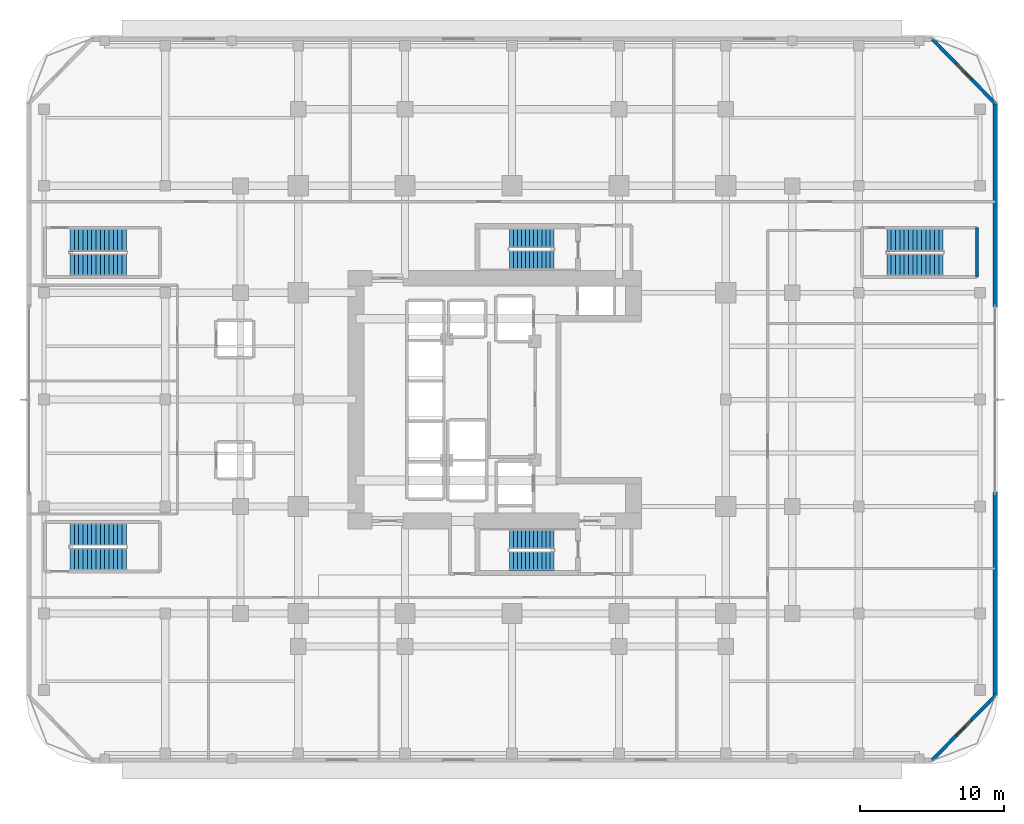
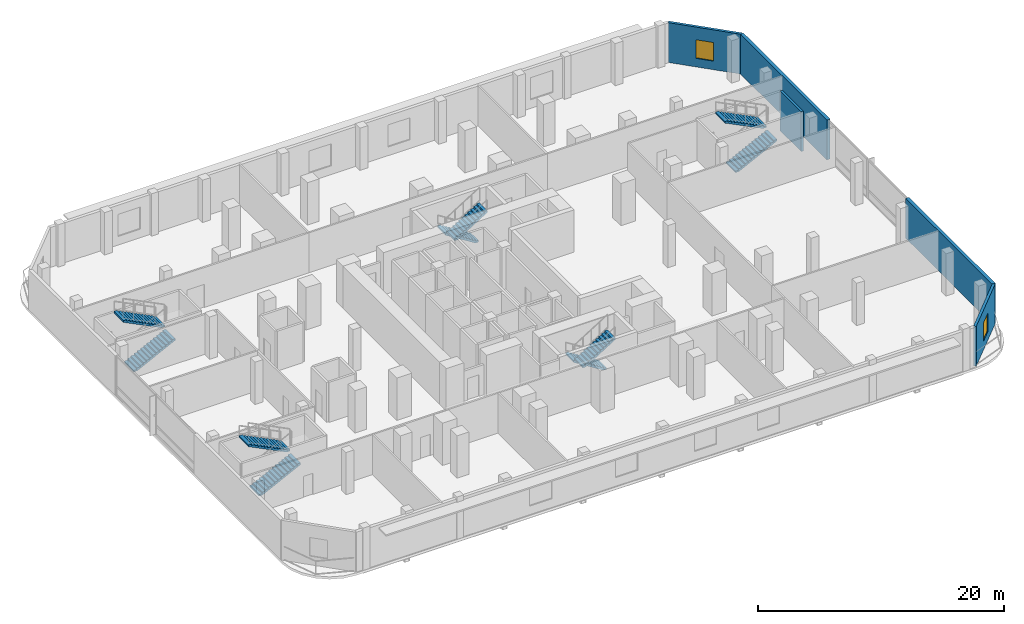
# One storey, part 11 of 19: 10 stair flights, 5 walls, 2 windows, 2 openings, 5 elements without a shape of their own.
"""IFC4 building model written with IfcOpenShell, lengths in metres."""

import ifcopenshell
import ifcopenshell.guid

model = None  # the IFC model being written
_history = None  # IfcOwnerHistory: only IFC2X3 demands one
_inside = {}  # id of a spatial element -> (the spatial element, [elements in it])
_under = {}  # id of a project, library or spatial element -> (it, [spatial elements below it])
_declared = {}  # id of a project -> (the project, [libraries it declares])
_typed = {}  # id of a type object -> (the type object, [elements of that type])
_made_of = {}  # id of a material, layer set ... -> (it, [elements and type objects made of it])


def new_model(schema):
    """Start an empty IFC model of exactly this schema.

    Asked for "IFC4X3", IfcOpenShell would pick the latest addendum, in which some entities
    have other attributes; the version numbers below select the first issue.
    IFC2X3 requires an IfcOwnerHistory on every rooted entity: one is made here for all.
    """
    global model, _history
    if schema == "IFC4X3":
        model = ifcopenshell.file(schema_version=(4, 3, 0, 0))
    else:
        model = ifcopenshell.file(schema=schema)
    _inside.clear()
    _under.clear()
    _declared.clear()
    _typed.clear()
    _made_of.clear()
    _history = None
    if model.schema == "IFC2X3":
        org = make("IfcOrganization", Name="unknown")
        user = make(
            "IfcPersonAndOrganization",
            ThePerson=make("IfcPerson", FamilyName="unknown"),
            TheOrganization=org,
        )
        app = make(
            "IfcApplication",
            ApplicationDeveloper=org,
            Version="unknown",
            ApplicationFullName="unknown",
            ApplicationIdentifier="unknown",
        )
        _history = make(
            "IfcOwnerHistory",
            OwningUser=user,
            OwningApplication=app,
            ChangeAction="ADDED",
            CreationDate=0,
        )
    return model


def make(cls, **values):
    """One entity of the class cls with the attributes given. An attribute that is None is left unset."""
    return model.create_entity(
        cls, **{name: value for name, value in values.items() if value is not None}
    )


def rooted(cls, **values):
    """An entity with a GlobalId (a new one), such as an element, a storey or a relation."""
    return make(cls, GlobalId=ifcopenshell.guid.new(), OwnerHistory=_history, **values)


def si_unit(unit_type, name, prefix=None):
    """IfcSIUnit, for example si_unit("LENGTHUNIT", "METRE", prefix="MILLI")."""
    return make("IfcSIUnit", UnitType=unit_type, Prefix=prefix, Name=name)


def assignment(units):
    """IfcUnitAssignment: the units of a project."""
    return None if units is None else make("IfcUnitAssignment", Units=units)


def point(xyz):
    """IfcCartesianPoint."""
    return None if xyz is None else make("IfcCartesianPoint", Coordinates=xyz)


def direction(xyz):
    """IfcDirection."""
    return None if xyz is None else make("IfcDirection", DirectionRatios=xyz)


def frame(location, z_axis=None, x_axis=None):
    """IfcAxis2Placement3D, a coordinate frame: its origin and axes. An axis left out is left unset."""
    return make(
        "IfcAxis2Placement3D",
        Location=point(location),
        Axis=direction(z_axis),
        RefDirection=direction(x_axis),
    )


def frame_2d(location, x_axis=None):
    """IfcAxis2Placement2D, a coordinate frame in the plane: its origin and x axis."""
    return make(
        "IfcAxis2Placement2D", Location=point(location), RefDirection=direction(x_axis)
    )


def origin():
    """The frame at (0, 0, 0) with its axes left unset."""
    return frame((0.0, 0.0, 0.0))


def place(relative_to, where):
    """IfcLocalPlacement: puts the frame where relative to a parent placement (None: the world)."""
    return make(
        "IfcLocalPlacement", PlacementRelTo=relative_to, RelativePlacement=where
    )


def context(
    kind, dimensions, precision=None, world=None, true_north=None, identifier=None
):
    """IfcGeometricRepresentationContext, for example the 3D "Model" context."""
    return make(
        "IfcGeometricRepresentationContext",
        ContextIdentifier=identifier,
        ContextType=kind,
        CoordinateSpaceDimension=dimensions,
        Precision=precision,
        WorldCoordinateSystem=world,
        TrueNorth=true_north,
    )


def subcontext(parent, identifier, kind, view, scale=None):
    """IfcGeometricRepresentationSubContext, for example "Body" below "Model"."""
    return make(
        "IfcGeometricRepresentationSubContext",
        ContextIdentifier=identifier,
        ContextType=kind,
        ParentContext=parent,
        TargetScale=scale,
        TargetView=view,
    )


def project(units=None, contexts=None):
    """IfcProject with its units and contexts."""
    return rooted(
        "IfcProject",
        Name="project",
        RepresentationContexts=contexts,
        UnitsInContext=assignment(units),
    )


def spatial(cls, under=None, at=None, **own):
    """A site, building, storey or space (cls), placed at a placement, below another one or the project."""
    s = rooted(cls, ObjectPlacement=at, **own)
    if under is not None:
        _under.setdefault(under.id(), (under, []))[1].append(s)
    return s


def polyline(points):
    """IfcPolyline through the points."""
    return make("IfcPolyline", Points=[point(p) for p in points])


def profile(cls, at=None, kind="AREA", **sizes):
    """A parametric profile (cls). Its sizes go by their IFC names, for example OverallWidth=200.0."""
    return make(cls, ProfileType=kind, Position=at, **sizes)


def rectangle(**sizes):
    """IfcRectangleProfileDef."""
    return profile("IfcRectangleProfileDef", **sizes)


def outline(outer, holes=None, kind="AREA"):
    """IfcArbitraryClosedProfileDef: a profile drawn as a closed curve; with holes, ...WithVoids."""
    if holes is None:
        return make("IfcArbitraryClosedProfileDef", ProfileType=kind, OuterCurve=outer)
    return make(
        "IfcArbitraryProfileDefWithVoids",
        ProfileType=kind,
        OuterCurve=outer,
        InnerCurves=holes,
    )


def extrude(swept, where, along, depth):
    """IfcExtrudedAreaSolid: the profile swept, set in the frame where, extruded along a direction by depth."""
    return make(
        "IfcExtrudedAreaSolid",
        SweptArea=swept,
        Position=where,
        ExtrudedDirection=direction(along),
        Depth=depth,
    )


def shape(context_of_items, identifier, shape_type, items):
    """IfcShapeRepresentation: the items that make up one representation, for example the "Body"."""
    return make(
        "IfcShapeRepresentation",
        ContextOfItems=context_of_items,
        RepresentationIdentifier=identifier,
        RepresentationType=shape_type,
        Items=items,
    )


def material(Name=None, Category=None):
    """IfcMaterial."""
    return make("IfcMaterial", Name=Name, Category=Category)


def layer(
    of_material, thickness, ventilated=None, Name=None, Category=None, Priority=None
):
    """IfcMaterialLayer: one layer of a wall or slab, of a material (None: an air gap)."""
    return make(
        "IfcMaterialLayer",
        Material=of_material,
        LayerThickness=thickness,
        IsVentilated=ventilated,
        Name=Name,
        Category=Category,
        Priority=Priority,
    )


def layer_set(layers, Name=None):
    """IfcMaterialLayerSet."""
    return make("IfcMaterialLayerSet", MaterialLayers=layers, LayerSetName=Name)


def made_of(thing, what):
    """Note that an element or type object is made of a material, layer set ...; save() writes the relation."""
    if what is not None:
        _made_of.setdefault(what.id(), (what, []))[1].append(thing)
    return thing


def type_object(cls, material=None, **own):
    """A type object (cls), such as IfcWallType, which elements share."""
    return made_of(rooted(cls, **own), material)


def element(
    cls,
    number,
    at=None,
    inside=None,
    cuts=None,
    type_object=None,
    material=None,
    context=None,
    identifier="Body",
    shape_type=None,
    held_by="IfcProductDefinitionShape",
    body=None,
    shapes=None,
    **own,
):
    """One element of the class cls, such as IfcWall. Its Tag is "e" and its number.

    at: its placement. inside: the storey or other place that contains it. cuts: it is an
    opening in that element (IfcRelVoidsElement). A single representation is given by context,
    identifier, shape_type and body (its items); several are given by shapes. held_by: the class
    of the entity that holds the representations. save() writes the other relations.
    """
    e = rooted(cls, Tag="e%d" % number, ObjectPlacement=at, **own)
    if body is not None:
        shapes = [shape(context, identifier, shape_type, body)]
    if shapes is not None:
        e.Representation = make(held_by, Representations=shapes)
    if inside is not None:
        _inside.setdefault(inside.id(), (inside, []))[1].append(e)
    if cuts is not None:
        rooted(
            "IfcRelVoidsElement", RelatingBuildingElement=cuts, RelatedOpeningElement=e
        )
    if type_object is not None:
        _typed.setdefault(type_object.id(), (type_object, []))[1].append(e)
    return made_of(e, material)


def fill(opening, filler):
    """IfcRelFillsElement: the door or window that sits in an opening."""
    return rooted(
        "IfcRelFillsElement",
        RelatingOpeningElement=opening,
        RelatedBuildingElement=filler,
    )


def aggregate(whole, parts):
    """IfcRelAggregates: a whole, such as a stair, and the parts it consists of."""
    return rooted("IfcRelAggregates", RelatingObject=whole, RelatedObjects=parts)


def save(model, path):
    """Write the relations noted so far, then the file.

    IfcRelAggregates (storeys below a building ...), IfcRelContainedInSpatialStructure (elements
    in a storey), IfcRelDefinesByType, IfcRelAssociatesMaterial and IfcRelDeclares: one each for
    every whole, place, type object, material and project.
    """
    for whole, parts in _under.values():
        aggregate(whole, parts)
    for where, things in _inside.values():
        rooted(
            "IfcRelContainedInSpatialStructure",
            RelatedElements=things,
            RelatingStructure=where,
        )
    for kind, things in _typed.values():
        rooted("IfcRelDefinesByType", RelatedObjects=things, RelatingType=kind)
    for what, things in _made_of.values():
        rooted("IfcRelAssociatesMaterial", RelatedObjects=things, RelatingMaterial=what)
    for by, libraries in _declared.values():
        rooted("IfcRelDeclares", RelatingContext=by, RelatedDefinitions=libraries)
    model.write(path)


model = new_model("IFC4")

# Units and contexts
model_context = context("Model", 3, precision=1e-05, world=origin(), true_north=direction((0.0, 1.0)))
body_context = subcontext(model_context, "Body", "Model", "MODEL_VIEW")
ifc_project = project(units=[si_unit("LENGTHUNIT", "METRE"), si_unit("AREAUNIT", "SQUARE_METRE"), si_unit("VOLUMEUNIT", "CUBIC_METRE"), si_unit("PLANEANGLEUNIT", "RADIAN"), si_unit("MASSUNIT", "GRAM", prefix="KILO")], contexts=[model_context])

# Site, building, storey
site_placement = place(None, origin())
site = spatial("IfcSite", under=ifc_project, at=site_placement, CompositionType="ELEMENT")
building_placement = place(site_placement, origin())
building = spatial("IfcBuilding", under=site, at=building_placement, Name="Khorvyn Point Tower", CompositionType="ELEMENT")
storey_placement = place(building_placement, frame((0.0, 0.0, 13.199951171875)))
storey = spatial("IfcBuildingStorey", under=building, at=storey_placement, Name="L04", CompositionType="ELEMENT", Elevation=13.199951171875)

# Wall, opening, window
ifc_material_1 = material(Name="Pale anodised aluminium rainscreen on steel stud", Category="steel")
ifc_layer_1 = layer(ifc_material_1, 0.239990234375)
ifc_layer_set_1 = layer_set([ifc_layer_1], Name="Anodised Aluminium Insulated Corner Spandrel Wall 240")
wall_type_1 = type_object("IfcWallType", Name="Anodised Aluminium Insulated Corner Spandrel Wall 240", PredefinedType="SOLIDWALL", material=ifc_layer_set_1)
wall_1_placement = place(storey_placement, frame((29.10009765625, 24.949951171875, 0.0), z_axis=(0.0, 0.0, 1.0), x_axis=(0.69901822973, -0.715103848756, 0.0)))
wall_1 = element("IfcWall", 1, at=wall_1_placement, inside=storey, type_object=wall_type_1, Name="L04 Rounded Corner Wall NE", PredefinedType="SOLIDWALL", context=body_context, shape_type="SweptSolid", body=[
    extrude(rectangle(XDim=6.222900390625, YDim=0.239990234375, at=frame_2d((3.111328125, 0.0))), origin(), (0.0, 0.0, 1.0), 3.9599609375),
])
opening_1_placement = place(wall_1_placement, frame((2.361572265625, 0.0, 0.85009765625)))
opening_1 = element("IfcOpeningElement", 2, at=opening_1_placement, cuts=wall_1, Name="Opening WN-1518", PredefinedType="OPENING", context=body_context, shape_type="SweptSolid", body=[
    extrude(rectangle(XDim=1.5, YDim=1.85009765625, at=frame_2d((0.75, 0.925048828125))), frame((0.0, 0.1298828125, 0.0), z_axis=(0.0, -1.0, 0.0), x_axis=(1.0, 0.0, 0.0)), (0.0, 0.0, 1.0), 0.260009765625),
])
ifc_material_2 = material(Name="Anodised aluminium 6063-T6 and laminated Low-E glass", Category="aluminium")
window_type = type_object("IfcWindowType", Name="Anodised Aluminium Rounded-Corner Panoramic Window 1500x1850", PartitioningType="SINGLE_PANEL", PredefinedType="WINDOW", material=ifc_material_2)
window_1_placement = place(opening_1_placement, origin())
window_1 = element("IfcWindow", 3, at=window_1_placement, inside=storey, type_object=window_type, Name="L04 Corner Window NE", OverallHeight=1.85009765625, OverallWidth=1.5, PartitioningType="SINGLE_PANEL", PredefinedType="WINDOW", context=body_context, shape_type="SweptSolid", body=[
    extrude(rectangle(XDim=1.5, YDim=1.85009765625, at=frame_2d((0.75, 0.925048828125))), frame((0.0, 0.030029296875, 0.0), z_axis=(0.0, -1.0, 0.0), x_axis=(1.0, 0.0, 0.0)), (0.0, 0.0, 1.0), 0.06005859375),
])
fill(opening_1, window_1)

wall_2_placement = place(storey_placement, frame((33.449951171875, -20.5, 0.0), z_axis=(0.0, 0.0, 1.0), x_axis=(-0.69901822973, -0.715103848756, 0.0)))
wall_2 = element("IfcWall", 4, at=wall_2_placement, inside=storey, type_object=wall_type_1, Name="L04 Rounded Corner Wall SE", PredefinedType="SOLIDWALL", context=body_context, shape_type="SweptSolid", body=[
    extrude(rectangle(XDim=6.222900390625, YDim=0.239990234375, at=frame_2d((3.111328125, 0.0))), origin(), (0.0, 0.0, 1.0), 3.9599609375),
])
opening_2_placement = place(wall_2_placement, frame((2.361572265625, 0.0, 0.85009765625)))
opening_2 = element("IfcOpeningElement", 5, at=opening_2_placement, cuts=wall_2, Name="Opening WN-1518", PredefinedType="OPENING", context=body_context, shape_type="SweptSolid", body=[
    extrude(rectangle(XDim=1.5, YDim=1.85009765625, at=frame_2d((0.75, 0.925048828125))), frame((0.0, 0.1298828125, 0.0), z_axis=(0.0, -1.0, 0.0), x_axis=(1.0, 0.0, 0.0)), (0.0, 0.0, 1.0), 0.260009765625),
])
window_2_placement = place(opening_2_placement, origin())
window_2 = element("IfcWindow", 6, at=window_2_placement, inside=storey, type_object=window_type, Name="L04 Corner Window SE", OverallHeight=1.85009765625, OverallWidth=1.5, PartitioningType="SINGLE_PANEL", PredefinedType="WINDOW", context=body_context, shape_type="SweptSolid", body=[
    extrude(rectangle(XDim=1.5, YDim=1.85009765625, at=frame_2d((0.75, 0.925048828125))), frame((0.0, 0.030029296875, 0.0), z_axis=(0.0, -1.0, 0.0), x_axis=(1.0, 0.0, 0.0)), (0.0, 0.0, 1.0), 0.06005859375),
])
fill(opening_2, window_2)

# Walls
ifc_material_3 = material(Name="Concrete C40/50", Category="concrete")
ifc_layer_2 = layer(ifc_material_3, 0.199951171875)
ifc_layer_set_2 = layer_set([ifc_layer_2], Name="Concrete C40/50 Structural Hoistway and Stair Shaft Wall 200")
wall_type_2 = type_object("IfcWallType", Name="Concrete C40/50 Structural Hoistway and Stair Shaft Wall 200", PredefinedType="SHEAR", material=ifc_layer_set_2)
wall_3_placement = place(storey_placement, frame((32.179931640625, 11.89990234375, 0.0), z_axis=(0.0, 0.0, 1.0), x_axis=(0.0, -1.0, 0.0)))
element("IfcWall", 7, at=wall_3_placement, inside=storey, type_object=wall_type_2, Name="Wall", PredefinedType="SHEAR", context=body_context, shape_type="SweptSolid", body=[
    extrude(rectangle(XDim=3.419921875, YDim=0.199951171875, at=frame_2d((1.7099609375, 0.0))), origin(), (0.0, 0.0, 1.0), 3.9599609375),
])
ifc_material_4 = material(Name="Precast concrete C35/45", Category="concrete")
ifc_layer_3 = layer(ifc_material_4, 0.300048828125)
ifc_layer_set_3 = layer_set([ifc_layer_3], Name="Precast Concrete C35/45 Insulated Podium Facade Wall 300")
wall_type_3 = type_object("IfcWallType", Name="Precast Concrete C35/45 Insulated Podium Facade Wall 300", PredefinedType="SOLIDWALL", material=ifc_layer_set_3)
for number, where, z_axis, x_axis, name in (
    (8, (33.449951171875, -20.5, 0.0), (0.0, 0.0, 1.0), (0.0, 1.0, 0.0), "Wall"),
    (9, (33.449951171875, 6.409912109375, 0.0), (0.0, 0.0, 1.0), (0.0, 1.0, 0.0), "Wall"),
):
    element("IfcWall", number, at=place(storey_placement, frame(where, z_axis=z_axis, x_axis=x_axis)), inside=storey, type_object=wall_type_3, Name=name, PredefinedType="SOLIDWALL", context=body_context, shape_type="SweptSolid", body=[
        extrude(rectangle(XDim=14.090087890625, YDim=0.300048828125, at=frame_2d((7.044921875, 0.0))), origin(), (0.0, 0.0, 1.0), 3.9599609375),
    ])

# Stair, stair flights
stair_type_1 = type_object("IfcStairType", Name="School Podium Concrete C40/50 Wide Exit Stair", PredefinedType="HALF_TURN_STAIR", material=ifc_material_3)
stair_1_placement = place(storey_placement, origin())
stair_1 = element("IfcStair", 10, at=stair_1_placement, inside=storey, type_object=stair_type_1, Name="L04 School Podium Smokeproof Stair Southwest", PredefinedType="HALF_TURN_STAIR")
stair_flight_type_1 = type_object("IfcStairFlightType", Name="School Podium Concrete C40/50 Gentle-Riser Flight", PredefinedType="STRAIGHT", material=ifc_material_3)
stair_flight_1_placement = place(storey_placement, frame((-30.60009765625, -11.044921875, 0.0), z_axis=(0.0, 0.0, 1.0), x_axis=(1.0, 0.0, 0.0)))
stair_flight_1 = element("IfcStairFlight", 11, at=stair_flight_1_placement, type_object=stair_flight_type_1, Name="ST-S1 flight 1", NumberOfRisers=14, NumberOfTreads=13, PredefinedType="STRAIGHT", RiserHeight=0.15, TreadLength=0.3, context=body_context, shape_type="SweptSolid", body=[
    extrude(outline(polyline([(0.0, 0.0), (0.0, 0.14990234375), (0.300048828125, 0.14990234375), (0.300048828125, 0.300048828125), (0.60009765625, 0.300048828125), (0.60009765625, 0.449951171875), (0.89990234375, 0.449951171875), (0.89990234375, 0.60009765625), (1.199951171875, 0.60009765625), (1.199951171875, 0.75), (1.5, 0.75), (1.5, 0.89990234375), (1.800048828125, 0.89990234375), (1.800048828125, 1.050048828125), (2.10009765625, 1.050048828125), (2.10009765625, 1.199951171875), (2.39990234375, 1.199951171875), (2.39990234375, 1.35009765625), (2.699951171875, 1.35009765625), (2.699951171875, 1.5), (3.0, 1.5), (3.0, 1.64990234375), (3.300048828125, 1.64990234375), (3.300048828125, 1.800048828125), (3.60009765625, 1.800048828125), (3.60009765625, 1.949951171875), (3.89990234375, 1.949951171875), (3.89990234375, 2.10009765625), (3.89990234375, 1.782470703125), (0.335205078125, 0.0), (0.0, 0.0)])), frame((0.0, 0.77490234375, 0.0), z_axis=(0.0, -1.0, 0.0), x_axis=(1.0, 0.0, 0.0)), (0.0, 0.0, 1.0), 1.550048828125),
])
stair_flight_2_placement = place(storey_placement, frame((-26.699951171875, -9.3349609375, 2.10009765625), z_axis=(0.0, 0.0, 1.0), x_axis=(-1.0, 0.0, 0.0)))
stair_flight_2 = element("IfcStairFlight", 12, at=stair_flight_2_placement, type_object=stair_flight_type_1, Name="ST-S1 flight 2", NumberOfRisers=14, NumberOfTreads=13, PredefinedType="STRAIGHT", RiserHeight=0.15, TreadLength=0.3, context=body_context, shape_type="SweptSolid", body=[
    extrude(outline(polyline([(0.0, 0.0), (0.0, 0.14990234375), (0.300048828125, 0.14990234375), (0.300048828125, 0.300048828125), (0.60009765625, 0.300048828125), (0.60009765625, 0.449951171875), (0.89990234375, 0.449951171875), (0.89990234375, 0.60009765625), (1.199951171875, 0.60009765625), (1.199951171875, 0.75), (1.5, 0.75), (1.5, 0.89990234375), (1.800048828125, 0.89990234375), (1.800048828125, 1.050048828125), (2.10009765625, 1.050048828125), (2.10009765625, 1.199951171875), (2.39990234375, 1.199951171875), (2.39990234375, 1.35009765625), (2.699951171875, 1.35009765625), (2.699951171875, 1.5), (3.0, 1.5), (3.0, 1.64990234375), (3.300048828125, 1.64990234375), (3.300048828125, 1.800048828125), (3.60009765625, 1.800048828125), (3.60009765625, 1.949951171875), (3.89990234375, 1.949951171875), (3.89990234375, 2.10009765625), (3.89990234375, 1.782470703125), (0.335205078125, 0.0), (0.0, 0.0)])), frame((0.0, 0.77490234375, 0.0), z_axis=(0.0, -1.0, 0.0), x_axis=(1.0, 0.0, 0.0)), (0.0, 0.0, 1.0), 1.550048828125),
])
aggregate(stair_1, [stair_flight_1, stair_flight_2])

stair_2_placement = place(storey_placement, origin())
stair_2 = element("IfcStair", 13, at=stair_2_placement, inside=storey, type_object=stair_type_1, Name="L04 School Podium Smokeproof Stair Northwest", PredefinedType="HALF_TURN_STAIR")
stair_flight_3_placement = place(storey_placement, frame((-30.60009765625, 9.3349609375, 0.0), z_axis=(0.0, 0.0, 1.0), x_axis=(1.0, 0.0, 0.0)))
stair_flight_3 = element("IfcStairFlight", 14, at=stair_flight_3_placement, type_object=stair_flight_type_1, Name="ST-S2 flight 1", NumberOfRisers=14, NumberOfTreads=13, PredefinedType="STRAIGHT", RiserHeight=0.15, TreadLength=0.3, context=body_context, shape_type="SweptSolid", body=[
    extrude(outline(polyline([(0.0, 0.0), (0.0, 0.14990234375), (0.300048828125, 0.14990234375), (0.300048828125, 0.300048828125), (0.60009765625, 0.300048828125), (0.60009765625, 0.449951171875), (0.89990234375, 0.449951171875), (0.89990234375, 0.60009765625), (1.199951171875, 0.60009765625), (1.199951171875, 0.75), (1.5, 0.75), (1.5, 0.89990234375), (1.800048828125, 0.89990234375), (1.800048828125, 1.050048828125), (2.10009765625, 1.050048828125), (2.10009765625, 1.199951171875), (2.39990234375, 1.199951171875), (2.39990234375, 1.35009765625), (2.699951171875, 1.35009765625), (2.699951171875, 1.5), (3.0, 1.5), (3.0, 1.64990234375), (3.300048828125, 1.64990234375), (3.300048828125, 1.800048828125), (3.60009765625, 1.800048828125), (3.60009765625, 1.949951171875), (3.89990234375, 1.949951171875), (3.89990234375, 2.10009765625), (3.89990234375, 1.782470703125), (0.335205078125, 0.0), (0.0, 0.0)])), frame((0.0, 0.77490234375, 0.0), z_axis=(0.0, -1.0, 0.0), x_axis=(1.0, 0.0, 0.0)), (0.0, 0.0, 1.0), 1.550048828125),
])
stair_flight_4_placement = place(storey_placement, frame((-26.699951171875, 11.044921875, 2.10009765625), z_axis=(0.0, 0.0, 1.0), x_axis=(-1.0, 0.0, 0.0)))
stair_flight_4 = element("IfcStairFlight", 15, at=stair_flight_4_placement, type_object=stair_flight_type_1, Name="ST-S2 flight 2", NumberOfRisers=14, NumberOfTreads=13, PredefinedType="STRAIGHT", RiserHeight=0.15, TreadLength=0.3, context=body_context, shape_type="SweptSolid", body=[
    extrude(outline(polyline([(0.0, 0.0), (0.0, 0.14990234375), (0.300048828125, 0.14990234375), (0.300048828125, 0.300048828125), (0.60009765625, 0.300048828125), (0.60009765625, 0.449951171875), (0.89990234375, 0.449951171875), (0.89990234375, 0.60009765625), (1.199951171875, 0.60009765625), (1.199951171875, 0.75), (1.5, 0.75), (1.5, 0.89990234375), (1.800048828125, 0.89990234375), (1.800048828125, 1.050048828125), (2.10009765625, 1.050048828125), (2.10009765625, 1.199951171875), (2.39990234375, 1.199951171875), (2.39990234375, 1.35009765625), (2.699951171875, 1.35009765625), (2.699951171875, 1.5), (3.0, 1.5), (3.0, 1.64990234375), (3.300048828125, 1.64990234375), (3.300048828125, 1.800048828125), (3.60009765625, 1.800048828125), (3.60009765625, 1.949951171875), (3.89990234375, 1.949951171875), (3.89990234375, 2.10009765625), (3.89990234375, 1.782470703125), (0.335205078125, 0.0), (0.0, 0.0)])), frame((0.0, 0.77490234375, 0.0), z_axis=(0.0, -1.0, 0.0), x_axis=(1.0, 0.0, 0.0)), (0.0, 0.0, 1.0), 1.550048828125),
])
aggregate(stair_2, [stair_flight_3, stair_flight_4])

stair_3_placement = place(storey_placement, origin())
stair_3 = element("IfcStair", 16, at=stair_3_placement, inside=storey, type_object=stair_type_1, Name="L04 School Podium Smokeproof Stair Northeast", PredefinedType="HALF_TURN_STAIR")
stair_flight_5_placement = place(storey_placement, frame((25.949951171875, 9.3349609375, 0.0), z_axis=(0.0, 0.0, 1.0), x_axis=(1.0, 0.0, 0.0)))
stair_flight_5 = element("IfcStairFlight", 17, at=stair_flight_5_placement, type_object=stair_flight_type_1, Name="ST-S3 flight 1", NumberOfRisers=14, NumberOfTreads=13, PredefinedType="STRAIGHT", RiserHeight=0.15, TreadLength=0.3, context=body_context, shape_type="SweptSolid", body=[
    extrude(outline(polyline([(0.0, 0.0), (0.0, 0.14990234375), (0.300048828125, 0.14990234375), (0.300048828125, 0.300048828125), (0.60009765625, 0.300048828125), (0.60009765625, 0.449951171875), (0.89990234375, 0.449951171875), (0.89990234375, 0.60009765625), (1.199951171875, 0.60009765625), (1.199951171875, 0.75), (1.5, 0.75), (1.5, 0.89990234375), (1.800048828125, 0.89990234375), (1.800048828125, 1.050048828125), (2.10009765625, 1.050048828125), (2.10009765625, 1.199951171875), (2.39990234375, 1.199951171875), (2.39990234375, 1.35009765625), (2.699951171875, 1.35009765625), (2.699951171875, 1.5), (3.0, 1.5), (3.0, 1.64990234375), (3.300048828125, 1.64990234375), (3.300048828125, 1.800048828125), (3.60009765625, 1.800048828125), (3.60009765625, 1.949951171875), (3.89990234375, 1.949951171875), (3.89990234375, 2.10009765625), (3.89990234375, 1.782470703125), (0.335205078125, 0.0), (0.0, 0.0)])), frame((0.0, 0.77490234375, 0.0), z_axis=(0.0, -1.0, 0.0), x_axis=(1.0, 0.0, 0.0)), (0.0, 0.0, 1.0), 1.550048828125),
])
stair_flight_6_placement = place(storey_placement, frame((29.85009765625, 11.044921875, 2.10009765625), z_axis=(0.0, 0.0, 1.0), x_axis=(-1.0, 0.0, 0.0)))
stair_flight_6 = element("IfcStairFlight", 18, at=stair_flight_6_placement, type_object=stair_flight_type_1, Name="ST-S3 flight 2", NumberOfRisers=14, NumberOfTreads=13, PredefinedType="STRAIGHT", RiserHeight=0.15, TreadLength=0.3, context=body_context, shape_type="SweptSolid", body=[
    extrude(outline(polyline([(0.0, 0.0), (0.0, 0.14990234375), (0.300048828125, 0.14990234375), (0.300048828125, 0.300048828125), (0.60009765625, 0.300048828125), (0.60009765625, 0.449951171875), (0.89990234375, 0.449951171875), (0.89990234375, 0.60009765625), (1.199951171875, 0.60009765625), (1.199951171875, 0.75), (1.5, 0.75), (1.5, 0.89990234375), (1.800048828125, 0.89990234375), (1.800048828125, 1.050048828125), (2.10009765625, 1.050048828125), (2.10009765625, 1.199951171875), (2.39990234375, 1.199951171875), (2.39990234375, 1.35009765625), (2.699951171875, 1.35009765625), (2.699951171875, 1.5), (3.0, 1.5), (3.0, 1.64990234375), (3.300048828125, 1.64990234375), (3.300048828125, 1.800048828125), (3.60009765625, 1.800048828125), (3.60009765625, 1.949951171875), (3.89990234375, 1.949951171875), (3.89990234375, 2.10009765625), (3.89990234375, 1.782470703125), (0.335205078125, 0.0), (0.0, 0.0)])), frame((0.0, 0.77490234375, 0.0), z_axis=(0.0, -1.0, 0.0), x_axis=(1.0, 0.0, 0.0)), (0.0, 0.0, 1.0), 1.550048828125),
])
aggregate(stair_3, [stair_flight_5, stair_flight_6])

stair_type_2 = type_object("IfcStairType", Name="Tower Concrete C40/50 Dogleg Exit Stair", PredefinedType="HALF_TURN_STAIR", material=ifc_material_3)
stair_4_placement = place(storey_placement, origin())
stair_4 = element("IfcStair", 19, at=stair_4_placement, inside=storey, type_object=stair_type_2, Name="L04 Tower Smokeproof Exit Stair South", PredefinedType="HALF_TURN_STAIR")
stair_flight_type_2 = type_object("IfcStairFlightType", Name="Tower Concrete C40/50 Stair Flight", PredefinedType="STRAIGHT", material=ifc_material_3)
stair_flight_7_placement = place(storey_placement, frame((2.89990234375, -9.679931640625, 0.0), z_axis=(0.0, 0.0, 1.0), x_axis=(-1.0, 0.0, 0.0)))
stair_flight_7 = element("IfcStairFlight", 20, at=stair_flight_7_placement, type_object=stair_flight_type_2, Name="ST-01 flight 1", NumberOfRisers=12, NumberOfTreads=11, PredefinedType="STRAIGHT", RiserHeight=0.175, TreadLength=0.28, context=body_context, shape_type="SweptSolid", body=[
    extrude(outline(polyline([(0.0, 0.0), (0.0, 0.175048828125), (0.280029296875, 0.175048828125), (0.280029296875, 0.35009765625), (0.56005859375, 0.35009765625), (0.56005859375, 0.52490234375), (0.840087890625, 0.52490234375), (0.840087890625, 0.699951171875), (1.1201171875, 0.699951171875), (1.1201171875, 0.875), (1.39990234375, 0.875), (1.39990234375, 1.050048828125), (1.679931640625, 1.050048828125), (1.679931640625, 1.22509765625), (1.9599609375, 1.22509765625), (1.9599609375, 1.39990234375), (2.239990234375, 1.39990234375), (2.239990234375, 1.574951171875), (2.52001953125, 1.574951171875), (2.52001953125, 1.75), (2.800048828125, 1.75), (2.800048828125, 1.925048828125), (3.080078125, 1.925048828125), (3.080078125, 2.10009765625), (3.080078125, 1.748291015625), (0.28271484375, 0.0), (0.0, 0.0)])), frame((0.0, 0.66015625, 0.0), z_axis=(0.0, -1.0, 0.0), x_axis=(1.0, 0.0, 0.0)), (0.0, 0.0, 1.0), 1.320068359375),
])
stair_flight_8_placement = place(storey_placement, frame((-0.179931640625, -11.159912109375, 2.10009765625), z_axis=(0.0, 0.0, 1.0), x_axis=(1.0, 0.0, 0.0)))
stair_flight_8 = element("IfcStairFlight", 21, at=stair_flight_8_placement, type_object=stair_flight_type_2, Name="ST-01 flight 2", NumberOfRisers=12, NumberOfTreads=11, PredefinedType="STRAIGHT", RiserHeight=0.175, TreadLength=0.28, context=body_context, shape_type="SweptSolid", body=[
    extrude(outline(polyline([(0.0, 0.0), (0.0, 0.175048828125), (0.280029296875, 0.175048828125), (0.280029296875, 0.35009765625), (0.56005859375, 0.35009765625), (0.56005859375, 0.52490234375), (0.840087890625, 0.52490234375), (0.840087890625, 0.699951171875), (1.1201171875, 0.699951171875), (1.1201171875, 0.875), (1.39990234375, 0.875), (1.39990234375, 1.050048828125), (1.679931640625, 1.050048828125), (1.679931640625, 1.22509765625), (1.9599609375, 1.22509765625), (1.9599609375, 1.39990234375), (2.239990234375, 1.39990234375), (2.239990234375, 1.574951171875), (2.52001953125, 1.574951171875), (2.52001953125, 1.75), (2.800048828125, 1.75), (2.800048828125, 1.925048828125), (3.080078125, 1.925048828125), (3.080078125, 2.10009765625), (3.080078125, 1.748291015625), (0.28271484375, 0.0), (0.0, 0.0)])), frame((0.0, 0.66015625, 0.0), z_axis=(0.0, -1.0, 0.0), x_axis=(1.0, 0.0, 0.0)), (0.0, 0.0, 1.0), 1.320068359375),
])
aggregate(stair_4, [stair_flight_7, stair_flight_8])

stair_5_placement = place(storey_placement, origin())
stair_5 = element("IfcStair", 22, at=stair_5_placement, inside=storey, type_object=stair_type_2, Name="L04 Tower Smokeproof Exit Stair North", PredefinedType="HALF_TURN_STAIR")
stair_flight_9_placement = place(storey_placement, frame((2.89990234375, 11.159912109375, 0.0), z_axis=(0.0, 0.0, 1.0), x_axis=(-1.0, 0.0, 0.0)))
stair_flight_9 = element("IfcStairFlight", 23, at=stair_flight_9_placement, type_object=stair_flight_type_2, Name="ST-02 flight 1", NumberOfRisers=12, NumberOfTreads=11, PredefinedType="STRAIGHT", RiserHeight=0.175, TreadLength=0.28, context=body_context, shape_type="SweptSolid", body=[
    extrude(outline(polyline([(0.0, 0.0), (0.0, 0.175048828125), (0.280029296875, 0.175048828125), (0.280029296875, 0.35009765625), (0.56005859375, 0.35009765625), (0.56005859375, 0.52490234375), (0.840087890625, 0.52490234375), (0.840087890625, 0.699951171875), (1.1201171875, 0.699951171875), (1.1201171875, 0.875), (1.39990234375, 0.875), (1.39990234375, 1.050048828125), (1.679931640625, 1.050048828125), (1.679931640625, 1.22509765625), (1.9599609375, 1.22509765625), (1.9599609375, 1.39990234375), (2.239990234375, 1.39990234375), (2.239990234375, 1.574951171875), (2.52001953125, 1.574951171875), (2.52001953125, 1.75), (2.800048828125, 1.75), (2.800048828125, 1.925048828125), (3.080078125, 1.925048828125), (3.080078125, 2.10009765625), (3.080078125, 1.748291015625), (0.28271484375, 0.0), (0.0, 0.0)])), frame((0.0, 0.66015625, 0.0), z_axis=(0.0, -1.0, 0.0), x_axis=(1.0, 0.0, 0.0)), (0.0, 0.0, 1.0), 1.320068359375),
])
stair_flight_10_placement = place(storey_placement, frame((-0.179931640625, 9.679931640625, 2.10009765625), z_axis=(0.0, 0.0, 1.0), x_axis=(1.0, 0.0, 0.0)))
stair_flight_10 = element("IfcStairFlight", 24, at=stair_flight_10_placement, type_object=stair_flight_type_2, Name="ST-02 flight 2", NumberOfRisers=12, NumberOfTreads=11, PredefinedType="STRAIGHT", RiserHeight=0.175, TreadLength=0.28, context=body_context, shape_type="SweptSolid", body=[
    extrude(outline(polyline([(0.0, 0.0), (0.0, 0.175048828125), (0.280029296875, 0.175048828125), (0.280029296875, 0.35009765625), (0.56005859375, 0.35009765625), (0.56005859375, 0.52490234375), (0.840087890625, 0.52490234375), (0.840087890625, 0.699951171875), (1.1201171875, 0.699951171875), (1.1201171875, 0.875), (1.39990234375, 0.875), (1.39990234375, 1.050048828125), (1.679931640625, 1.050048828125), (1.679931640625, 1.22509765625), (1.9599609375, 1.22509765625), (1.9599609375, 1.39990234375), (2.239990234375, 1.39990234375), (2.239990234375, 1.574951171875), (2.52001953125, 1.574951171875), (2.52001953125, 1.75), (2.800048828125, 1.75), (2.800048828125, 1.925048828125), (3.080078125, 1.925048828125), (3.080078125, 2.10009765625), (3.080078125, 1.748291015625), (0.28271484375, 0.0), (0.0, 0.0)])), frame((0.0, 0.66015625, 0.0), z_axis=(0.0, -1.0, 0.0), x_axis=(1.0, 0.0, 0.0)), (0.0, 0.0, 1.0), 1.320068359375),
])
aggregate(stair_5, [stair_flight_9, stair_flight_10])

save(model, "model.ifc")
